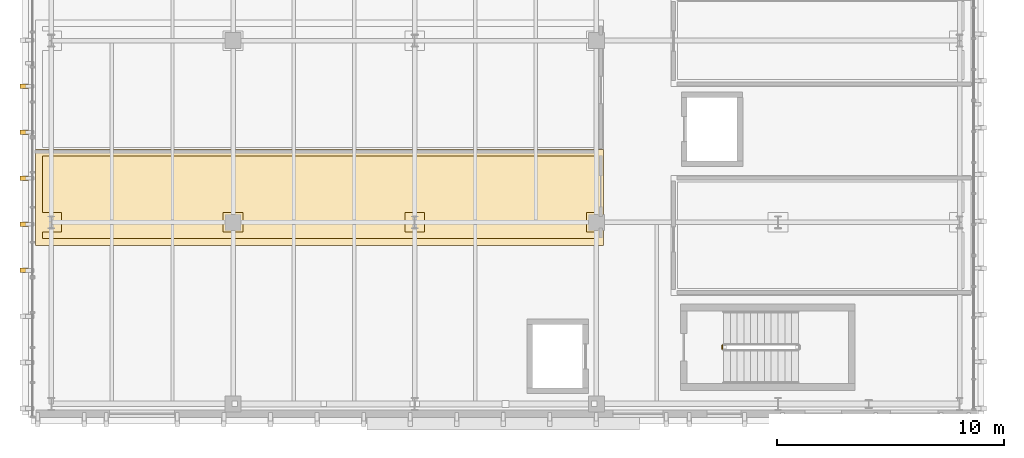
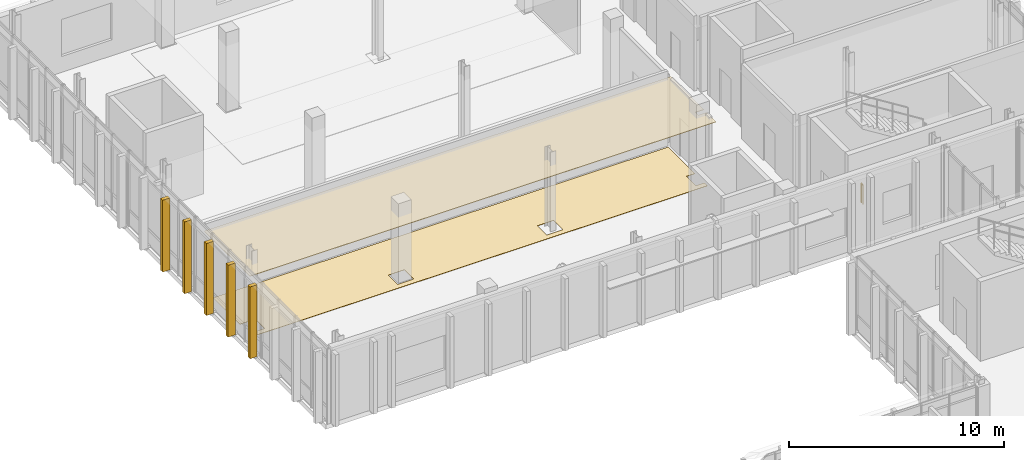
# One storey, part 85 of 100: 7 coverings, 1 railing.
"""IFC4 building model written with IfcOpenShell, lengths in metres."""

from ifc_helpers import new_model, si_unit, direction, frame, origin, origin_2d, place, context, subcontext, project, spatial, polyline, rectangle, circle, outline, extrude, material, layer, layer_set, type_object, element, save


model = new_model("IFC4")

# Units and contexts
model_context = context("Model", 3, precision=1e-05, world=origin(), true_north=direction((0.0, 1.0)))
body_context = subcontext(model_context, "Body", "Model", "MODEL_VIEW")
ifc_project = project(units=[si_unit("LENGTHUNIT", "METRE"), si_unit("AREAUNIT", "SQUARE_METRE"), si_unit("VOLUMEUNIT", "CUBIC_METRE"), si_unit("PLANEANGLEUNIT", "RADIAN"), si_unit("MASSUNIT", "GRAM", prefix="KILO")], contexts=[model_context])

# Site, building, storey
site_placement = place(None, origin())
site = spatial("IfcSite", under=ifc_project, at=site_placement, CompositionType="ELEMENT")
building_placement = place(site_placement, origin())
building = spatial("IfcBuilding", under=site, at=building_placement, Name="Cymarion Research Institute", CompositionType="ELEMENT")
storey_placement = place(building_placement, frame((0.0, 0.0, 4.800048828125)))
storey = spatial("IfcBuildingStorey", under=building, at=storey_placement, Name="L01", CompositionType="ELEMENT", Elevation=4.800048828125)

# Covering
ifc_material_1 = material(Name="Micro-perforated mineral acoustic ceiling tile", Category="gypsum")
ifc_layer_1 = layer(ifc_material_1, 0.030029296875)
ifc_layer_set_1 = layer_set([ifc_layer_1], Name="Micro-perforated mineral acoustic ceiling tile")
covering_type_1 = type_object("IfcCoveringType", Name="ACOUSTIC MICRO-PERFORATED SUSPENDED CEILING CLG-01", PredefinedType="CEILING", material=ifc_layer_set_1)
covering_1_placement = place(storey_placement, frame((0.0, 0.0, 3.699951171875)))
element("IfcCovering", 1, at=covering_1_placement, inside=storey, type_object=covering_type_1, Name="L01 L01 Cleanroom Gowning & Pressure Cascade Airlock acoustic ceiling", PredefinedType="CEILING", context=body_context, shape_type="SweptSolid", body=[
    extrude(outline(polyline([(30.465087890625, 55.635009765625), (30.465087890625, 55.364990234375), (30.9150390625, 55.364990234375), (30.9150390625, 54.485107421875), (5.905029296875, 54.485107421875), (5.905029296875, 58.715087890625), (30.9150390625, 58.715087890625), (30.9150390625, 55.635009765625), (30.465087890625, 55.635009765625)])), origin(), (0.0, 0.0, 1.0), 0.030029296875),
])

# Railing
ifc_material_2 = material(Name="Steel S355", Category="steel")
railing_type = type_object("IfcRailingType", Name="PAINTED STEEL STAIR GUARDRAIL GR1 1100MM", PredefinedType="GUARDRAIL", material=ifc_material_2)
railing_placement = place(storey_placement, frame((36.14990234375, 49.919921875, 0.0)))
element("IfcRailing", 2, at=railing_placement, inside=storey, type_object=railing_type, Name="L01 ST7 stair guard 4", PredefinedType="GUARDRAIL", context=body_context, shape_type="SweptSolid", body=[
    extrude(circle(Radius=0.02392578125, at=origin_2d()), frame((0.0, 0.0, 1.076171875), z_axis=(0.0, 1.0, 0.0), x_axis=(-1.0, 0.0, 0.0)), (0.0, 0.0, 1.0), 0.16015625),
    extrude(circle(Radius=0.02099609375, at=origin_2d()), origin(), (0.0, 0.0, 1.0), 1.052001953125),
    extrude(circle(Radius=0.02099609375, at=origin_2d()), frame((0.0, 0.16015625, 0.0)), (0.0, 0.0, 1.0), 1.052001953125),
])

# Coverings
ifc_material_3 = material(Name="Precast concrete C45/55 architectural white", Category="concrete")
ifc_layer_2 = layer(ifc_material_3, 0.199951171875)
ifc_layer_set_2 = layer_set([ifc_layer_2], Name="Precast concrete C45/55 architectural white")
covering_type_2 = type_object("IfcCoveringType", Name="SCULPTURAL WHITE PRECAST CONCRETE VERTICAL RIB RIB1 380X200", PredefinedType="CLADDING", material=ifc_layer_set_2)
for number, where, z_axis, x_axis, name in (
    (3, (5.407958984375, 61.48681640625, 0.009765625), (0.0, 0.0, 1.0), (-1.0, 0.0, 0.0), "L01 V4 sculptural precast vertical rib RIB1 #357"),
    (4, (5.407958984375, 59.4599609375, 0.009765625), (0.0, 0.0, 1.0), (-1.0, 0.0, 0.0), "L01 V4 sculptural precast vertical rib RIB1 #358"),
    (5, (5.407958984375, 57.433349609375, 0.009765625), (0.0, 0.0, 1.0), (-1.0, 0.0, 0.0), "L01 V4 sculptural precast vertical rib RIB1 #359"),
    (6, (5.407958984375, 55.40673828125, 0.009765625), (0.0, 0.0, 1.0), (-1.0, 0.0, 0.0), "L01 V4 sculptural precast vertical rib RIB1 #360"),
    (7, (5.407958984375, 53.3798828125, 0.009765625), (0.0, 0.0, 1.0), (-1.0, 0.0, 0.0), "L01 V4 sculptural precast vertical rib RIB1 #361"),
):
    element("IfcCovering", number, at=place(storey_placement, frame(where, z_axis=z_axis, x_axis=x_axis)), inside=storey, type_object=covering_type_2, Name=name, PredefinedType="CLADDING", context=body_context, shape_type="SweptSolid", body=[
        extrude(rectangle(XDim=0.3798828125, YDim=0.199951171875, at=origin_2d()), origin(), (0.0, 0.0, 1.0), 4.074951171875),
    ])
ifc_material_4 = material(Name="Seamless dissipative epoxy resin flooring", Category="resin")
ifc_layer_3 = layer(ifc_material_4, 0.02001953125)
ifc_layer_set_3 = layer_set([ifc_layer_3], Name="Seamless dissipative epoxy resin flooring")
covering_type_3 = type_object("IfcCoveringType", Name="SEAMLESS ESD EPOXY LABORATORY FLOORING FLR-01", PredefinedType="FLOORING", material=ifc_layer_set_3)
covering_2_placement = place(storey_placement, origin())
element("IfcCovering", 8, at=covering_2_placement, inside=storey, type_object=covering_type_3, Name="L01 L01 Cleanroom Gowning & Pressure Cascade Airlock ESD epoxy flooring", PredefinedType="FLOORING", context=body_context, shape_type="SweptSolid", body=[
    extrude(outline(polyline([(6.205078125, 55.06494140625), (7.034912109375, 55.06494140625), (7.034912109375, 55.93505859375), (6.205078125, 55.93505859375), (6.205078125, 58.4150390625), (30.614990234375, 58.4150390625), (30.614990234375, 55.93505859375), (30.1650390625, 55.93505859375), (30.1650390625, 55.06494140625), (30.614990234375, 55.06494140625), (30.614990234375, 54.784912109375), (6.205078125, 54.784912109375), (6.205078125, 55.06494140625)]), holes=[polyline([(23.034912109375, 55.93505859375), (22.1650390625, 55.93505859375), (22.1650390625, 55.06494140625), (23.034912109375, 55.06494140625), (23.034912109375, 55.93505859375)]), polyline([(15.034912109375, 55.93505859375), (14.1650390625, 55.93505859375), (14.1650390625, 55.06494140625), (15.034912109375, 55.06494140625), (15.034912109375, 55.93505859375)])]), origin(), (0.0, 0.0, 1.0), 0.02001953125),
])

save(model, "model.ifc")
